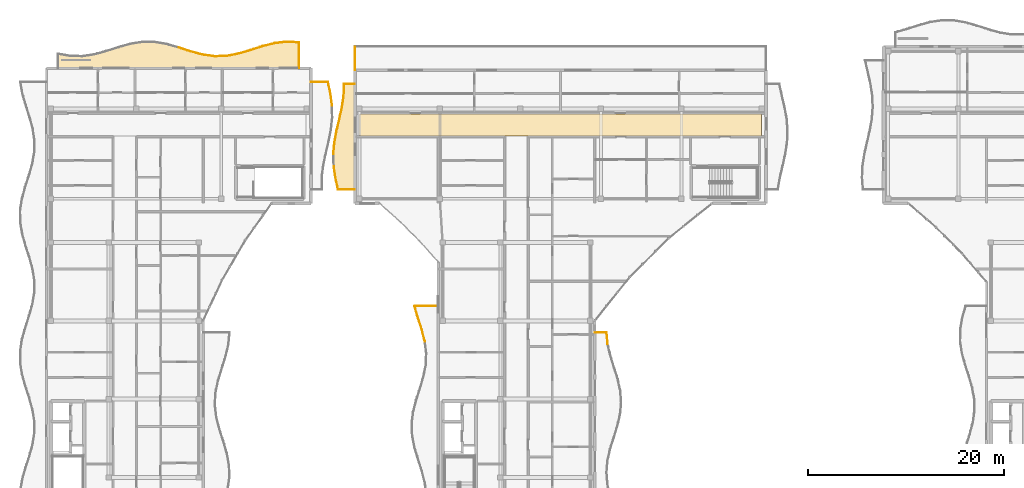
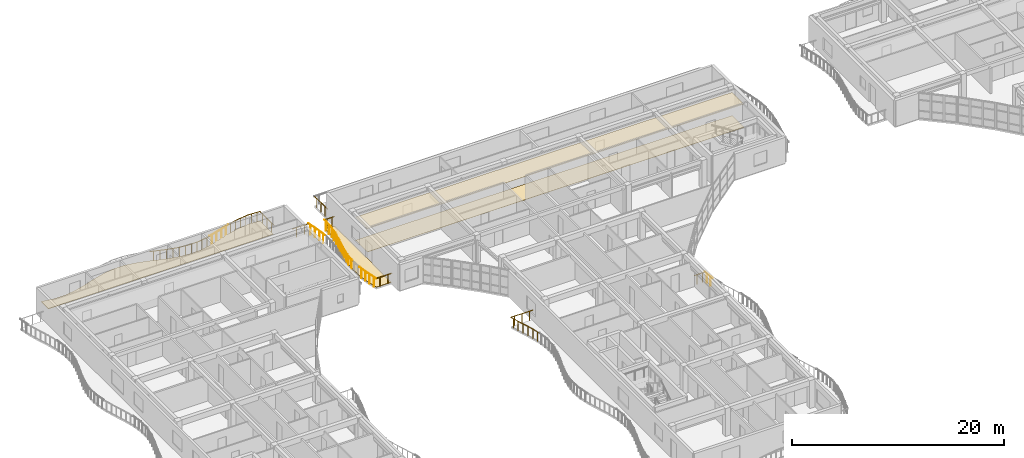
# One storey, part 52 of 68: 31 railings, 4 coverings.
"""IFC4 building model written with IfcOpenShell, lengths in metres."""

from ifc_helpers import new_model, si_unit, direction, frame, origin, origin_2d, place, context, subcontext, project, spatial, polyline, circle, outline, extrude, material, layer, layer_set, type_object, element, save


model = new_model("IFC4")

# Units and contexts
model_context = context("Model", 3, precision=1e-05, world=origin(), true_north=direction((0.0, 1.0)))
body_context = subcontext(model_context, "Body", "Model", "MODEL_VIEW")
ifc_project = project(units=[si_unit("LENGTHUNIT", "METRE"), si_unit("AREAUNIT", "SQUARE_METRE"), si_unit("VOLUMEUNIT", "CUBIC_METRE"), si_unit("PLANEANGLEUNIT", "RADIAN"), si_unit("MASSUNIT", "GRAM", prefix="KILO")], contexts=[model_context])

# Site, building, storey
site_placement = place(None, origin())
site = spatial("IfcSite", under=ifc_project, at=site_placement, CompositionType="ELEMENT")
building_placement = place(site_placement, origin())
building = spatial("IfcBuilding", under=site, at=building_placement, Name="Keldmere Railside Commons", CompositionType="ELEMENT")
storey_placement = place(building_placement, frame((0.0, 0.0, 23.360107421875)))
storey = spatial("IfcBuildingStorey", under=building, at=storey_placement, Name="L07", CompositionType="ELEMENT", Elevation=23.360107421875)

# Railings
ifc_material_1 = material(Name="Steel F-24 (S235)", Category="steel")
railing_type = type_object("IfcRailingType", Name="Balcony & Terrace Steel Balustrade 1100", PredefinedType="BALUSTRADE", material=ifc_material_1)
railing_1_placement = place(storey_placement, frame((21.5, 115.90478515625, 0.0)))
element("IfcRailing", 1, at=railing_1_placement, inside=storey, type_object=railing_type, Name="GR-1 GRD-L07-0705", PredefinedType="BALUSTRADE", context=body_context, shape_type="SweptSolid", body=[
    extrude(circle(Radius=0.02392578125, at=origin_2d()), frame((0.0, 0.0, 1.076171875), z_axis=(0.951662317423, -0.307146273944, 0.0), x_axis=(0.307146273944, 0.951662317423, 0.0)), (0.0, 0.0, 1.0), 1.29248046875),
    extrude(circle(Radius=0.02099609375, at=origin_2d()), frame((0.3076171875, -0.09912109375, 0.0)), (0.0, 0.0, 1.0), 1.048095703125),
    extrude(circle(Radius=0.02099609375, at=origin_2d()), frame((0.92236328125, -0.2978515625, 0.0)), (0.0, 0.0, 1.0), 1.048095703125),
])
railing_2_placement = place(storey_placement, frame((22.72998046875, 115.5078125, 0.0)))
element("IfcRailing", 2, at=railing_2_placement, inside=storey, type_object=railing_type, Name="GR-1 GRD-L07-0706", PredefinedType="BALUSTRADE", context=body_context, shape_type="SweptSolid", body=[
    extrude(circle(Radius=0.02392578125, at=origin_2d()), frame((0.0, 0.0, 1.076171875), z_axis=(0.966066051038, -0.258295151002, 0.0), x_axis=(0.258295151002, 0.966066051038, 0.0)), (0.0, 0.0, 1.0), 1.273193359375),
    extrude(circle(Radius=0.02099609375, at=origin_2d()), frame((0.3076171875, -0.082275390625, 0.0)), (0.0, 0.0, 1.0), 1.048095703125),
    extrude(circle(Radius=0.02099609375, at=origin_2d()), frame((0.92236328125, -0.24658203125, 0.0)), (0.0, 0.0, 1.0), 1.048095703125),
])
railing_3_placement = place(storey_placement, frame((23.9599609375, 115.178955078125, 0.0)))
element("IfcRailing", 3, at=railing_3_placement, inside=storey, type_object=railing_type, Name="GR-1 GRD-L07-0707", PredefinedType="BALUSTRADE", context=body_context, shape_type="SweptSolid", body=[
    extrude(circle(Radius=0.02392578125, at=origin_2d()), frame((0.0, 0.0, 1.076171875), z_axis=(0.990751017393, -0.135692378325, 0.0), x_axis=(0.135692378325, 0.990751017393, 0.0)), (0.0, 0.0, 1.0), 1.241455078125),
    extrude(circle(Radius=0.02099609375, at=origin_2d()), frame((0.3076171875, -0.0419921875, 0.0)), (0.0, 0.0, 1.0), 1.048095703125),
    extrude(circle(Radius=0.02099609375, at=origin_2d()), frame((0.92236328125, -0.12646484375, 0.0)), (0.0, 0.0, 1.0), 1.048095703125),
])
railing_4_placement = place(storey_placement, frame((25.18994140625, 115.010498046875, 0.0)))
element("IfcRailing", 4, at=railing_4_placement, inside=storey, type_object=railing_type, Name="GR-1 GRD-L07-0708", PredefinedType="BALUSTRADE", context=body_context, shape_type="SweptSolid", body=[
    extrude(circle(Radius=0.02392578125, at=origin_2d()), frame((0.0, 0.0, 1.076171875), z_axis=(0.999477016377, 0.032337188104, 0.0), x_axis=(-0.032337188104, 0.999477016377, 0.0)), (0.0, 0.0, 1.0), 1.230712890625),
    extrude(circle(Radius=0.02099609375, at=origin_2d()), frame((0.3076171875, 0.010009765625, 0.0)), (0.0, 0.0, 1.0), 1.048095703125),
    extrude(circle(Radius=0.02099609375, at=origin_2d()), frame((0.92236328125, 0.02978515625, 0.0)), (0.0, 0.0, 1.0), 1.048095703125),
])
railing_5_placement = place(storey_placement, frame((26.419921875, 115.05029296875, 0.0)))
element("IfcRailing", 5, at=railing_5_placement, inside=storey, type_object=railing_type, Name="GR-1 GRD-L07-0709", PredefinedType="BALUSTRADE", context=body_context, shape_type="SweptSolid", body=[
    extrude(circle(Radius=0.02392578125, at=origin_2d()), frame((0.0, 0.0, 1.076171875), z_axis=(0.982037021627, 0.188688336033, 0.0), x_axis=(-0.188688336033, 0.982037021627, 0.0)), (0.0, 0.0, 1.0), 1.25244140625),
    extrude(circle(Radius=0.02099609375, at=origin_2d()), frame((0.3076171875, 0.05908203125, 0.0)), (0.0, 0.0, 1.0), 1.048095703125),
    extrude(circle(Radius=0.02099609375, at=origin_2d()), frame((0.92236328125, 0.17724609375, 0.0)), (0.0, 0.0, 1.0), 1.048095703125),
])
railing_6_placement = place(storey_placement, frame((27.64990234375, 115.28662109375, 0.0)))
element("IfcRailing", 6, at=railing_6_placement, inside=storey, type_object=railing_type, Name="GR-1 GRD-L07-0710", PredefinedType="BALUSTRADE", context=body_context, shape_type="SweptSolid", body=[
    extrude(circle(Radius=0.02392578125, at=origin_2d()), frame((0.0, 0.0, 1.076171875), z_axis=(0.958317003481, 0.285707054234, 0.0), x_axis=(-0.285707054234, 0.958317003481, 0.0)), (0.0, 0.0, 1.0), 1.283447265625),
    extrude(circle(Radius=0.02099609375, at=origin_2d()), frame((0.3076171875, 0.091796875, 0.0)), (0.0, 0.0, 1.0), 1.048095703125),
    extrude(circle(Radius=0.02099609375, at=origin_2d()), frame((0.92236328125, 0.27490234375, 0.0)), (0.0, 0.0, 1.0), 1.048095703125),
])
railing_7_placement = place(storey_placement, frame((28.8798828125, 115.6533203125, 0.0)))
element("IfcRailing", 7, at=railing_7_placement, inside=storey, type_object=railing_type, Name="GR-1 GRD-L07-0711", PredefinedType="BALUSTRADE", context=body_context, shape_type="SweptSolid", body=[
    extrude(circle(Radius=0.02392578125, at=origin_2d()), frame((0.0, 0.0, 1.076171875), z_axis=(0.952395613987, 0.304864879016, 0.0), x_axis=(-0.304864879016, 0.952395613987, 0.0)), (0.0, 0.0, 1.0), 1.291748046875),
    extrude(circle(Radius=0.02099609375, at=origin_2d()), frame((0.3076171875, 0.098388671875, 0.0)), (0.0, 0.0, 1.0), 1.048095703125),
    extrude(circle(Radius=0.02099609375, at=origin_2d()), frame((0.922607421875, 0.29541015625, 0.0)), (0.0, 0.0, 1.0), 1.048095703125),
])
railing_8_placement = place(storey_placement, frame((30.110107421875, 116.047119140625, 0.0)))
element("IfcRailing", 8, at=railing_8_placement, inside=storey, type_object=railing_type, Name="GR-1 GRD-L07-0712", PredefinedType="BALUSTRADE", context=body_context, shape_type="SweptSolid", body=[
    extrude(circle(Radius=0.02392578125, at=origin_2d()), frame((0.0, 0.0, 1.076171875), z_axis=(0.969619486352, 0.244618175298, 0.0), x_axis=(-0.244618175298, 0.969619486352, 0.0)), (0.0, 0.0, 1.0), 1.2685546875),
    extrude(circle(Radius=0.02099609375, at=origin_2d()), frame((0.3076171875, 0.07763671875, 0.0)), (0.0, 0.0, 1.0), 1.048095703125),
    extrude(circle(Radius=0.02099609375, at=origin_2d()), frame((0.92236328125, 0.232666015625, 0.0)), (0.0, 0.0, 1.0), 1.048095703125),
])
railing_9_placement = place(storey_placement, frame((31.340087890625, 116.357421875, 0.0)))
element("IfcRailing", 9, at=railing_9_placement, inside=storey, type_object=railing_type, Name="GR-1 GRD-L07-0713", PredefinedType="BALUSTRADE", context=body_context, shape_type="SweptSolid", body=[
    extrude(circle(Radius=0.02392578125, at=origin_2d()), frame((0.0, 0.0, 1.076171875), z_axis=(0.99361631309, 0.112812332491, 0.0), x_axis=(-0.112812332491, 0.99361631309, 0.0)), (0.0, 0.0, 1.0), 1.23779296875),
    extrude(circle(Radius=0.02099609375, at=origin_2d()), frame((0.3076171875, 0.034912109375, 0.0)), (0.0, 0.0, 1.0), 1.048095703125),
    extrude(circle(Radius=0.02099609375, at=origin_2d()), frame((0.92236328125, 0.104736328125, 0.0)), (0.0, 0.0, 1.0), 1.048095703125),
])
railing_10_placement = place(storey_placement, frame((32.570068359375, 116.4970703125, 0.0)))
element("IfcRailing", 10, at=railing_10_placement, inside=storey, type_object=railing_type, Name="GR-1 GRD-L07-0714", PredefinedType="BALUSTRADE", context=body_context, shape_type="SweptSolid", body=[
    extrude(circle(Radius=0.02392578125, at=origin_2d()), frame((0.0, 0.0, 1.076171875), z_axis=(0.998358733334, -0.057269883671, 0.0), x_axis=(0.057269883671, 0.998358733334, 0.0)), (0.0, 0.0, 1.0), 1.23193359375),
    extrude(circle(Radius=0.02099609375, at=origin_2d()), frame((0.3076171875, -0.017578125, 0.0)), (0.0, 0.0, 1.0), 1.048095703125),
    extrude(circle(Radius=0.02099609375, at=origin_2d()), frame((0.92236328125, -0.052978515625, 0.0)), (0.0, 0.0, 1.0), 1.048095703125),
])
railing_11_placement = place(storey_placement, frame((33.800048828125, 116.426513671875, 0.0)))
element("IfcRailing", 11, at=railing_11_placement, inside=storey, type_object=railing_type, Name="GR-1 GRD-L07-0715", PredefinedType="BALUSTRADE", context=body_context, shape_type="SweptSolid", body=[
    extrude(circle(Radius=0.02392578125, at=origin_2d()), frame((0.0, 0.0, 1.076171875), z_axis=(0.0, -1.0, 0.0), x_axis=(1.0, 0.0, 0.0)), (0.0, 0.0, 1.0), 2.62646484375),
    extrude(circle(Radius=0.02099609375, at=origin_2d()), frame((0.0, -0.437744140625, 0.0)), (0.0, 0.0, 1.0), 1.048095703125),
    extrude(circle(Radius=0.02099609375, at=origin_2d()), frame((0.0, -1.313232421875, 0.0)), (0.0, 0.0, 1.0), 1.048095703125),
    extrude(circle(Radius=0.02099609375, at=origin_2d()), frame((0.0, -2.188720703125, 0.0)), (0.0, 0.0, 1.0), 1.048095703125),
])
railing_12_placement = place(storey_placement, frame((37.17041015625, 109.95556640625, 0.0)))
element("IfcRailing", 12, at=railing_12_placement, inside=storey, type_object=railing_type, Name="GR-1 GRD-L07-0784", PredefinedType="BALUSTRADE", context=body_context, shape_type="SweptSolid", body=[
    extrude(circle(Radius=0.02392578125, at=origin_2d()), frame((0.0, 0.0, 1.076171875), z_axis=(-0.131878364677, 0.991265906268, 0.0), x_axis=(-0.991265906268, -0.131878364677, 0.0)), (0.0, 0.0, 1.0), 1.23291015625),
    extrude(circle(Radius=0.02099609375, at=origin_2d()), frame((-0.04052734375, 0.3056640625, 0.0)), (0.0, 0.0, 1.0), 1.048095703125),
    extrude(circle(Radius=0.02099609375, at=origin_2d()), frame((-0.1220703125, 0.91650390625, 0.0)), (0.0, 0.0, 1.0), 1.048095703125),
])
railing_13_placement = place(storey_placement, frame((37.0078125, 111.177734375, 0.0)))
element("IfcRailing", 13, at=railing_13_placement, inside=storey, type_object=railing_type, Name="GR-1 GRD-L07-0785", PredefinedType="BALUSTRADE", context=body_context, shape_type="SweptSolid", body=[
    extrude(circle(Radius=0.02392578125, at=origin_2d()), frame((0.0, 0.0, 1.076171875), z_axis=(-0.209582445166, 0.977790979033, 0.0), x_axis=(-0.977790979033, -0.209582445166, 0.0)), (0.0, 0.0, 1.0), 1.25),
    extrude(circle(Radius=0.02099609375, at=origin_2d()), frame((-0.0654296875, 0.3056640625, 0.0)), (0.0, 0.0, 1.0), 1.048095703125),
    extrude(circle(Radius=0.02099609375, at=origin_2d()), frame((-0.196533203125, 0.91650390625, 0.0)), (0.0, 0.0, 1.0), 1.048095703125),
])
railing_14_placement = place(storey_placement, frame((36.745849609375, 112.39990234375, 0.0)))
element("IfcRailing", 14, at=railing_14_placement, inside=storey, type_object=railing_type, Name="GR-1 GRD-L07-0786", PredefinedType="BALUSTRADE", context=body_context, shape_type="SweptSolid", body=[
    extrude(circle(Radius=0.02392578125, at=origin_2d()), frame((0.0, 0.0, 1.076171875), z_axis=(-1.0, 0.0, 0.0), x_axis=(0.0, -1.0, 0.0)), (0.0, 0.0, 1.0), 1.745849609375),
    extrude(circle(Radius=0.02099609375, at=origin_2d()), frame((-0.4365234375, 0.0, 0.0)), (0.0, 0.0, 1.0), 1.048095703125),
    extrude(circle(Radius=0.02099609375, at=origin_2d()), frame((-1.309326171875, 0.0, 0.0)), (0.0, 0.0, 1.0), 1.048095703125),
])
railing_15_placement = place(storey_placement, frame((65.317138671875, 85.609130859375, 0.0)))
element("IfcRailing", 15, at=railing_15_placement, inside=storey, type_object=railing_type, Name="GR-1 GRD-L07-1571", PredefinedType="BALUSTRADE", context=body_context, shape_type="SweptSolid", body=[
    extrude(circle(Radius=0.02392578125, at=origin_2d()), frame((0.0, 0.0, 1.076171875), z_axis=(-0.097321784689, 0.995252967956, 0.0), x_axis=(-0.995252967956, -0.097321784689, 0.0)), (0.0, 0.0, 1.0), 1.196533203125),
    extrude(circle(Radius=0.02099609375, at=origin_2d()), frame((-0.029052734375, 0.2978515625, 0.0)), (0.0, 0.0, 1.0), 1.048095703125),
    extrude(circle(Radius=0.02099609375, at=origin_2d()), frame((-0.08740234375, 0.89306640625, 0.0)), (0.0, 0.0, 1.0), 1.048095703125),
])
railing_16_placement = place(storey_placement, frame((65.20068359375, 86.800048828125, 0.0)))
element("IfcRailing", 16, at=railing_16_placement, inside=storey, type_object=railing_type, Name="GR-1 GRD-L07-1572", PredefinedType="BALUSTRADE", context=body_context, shape_type="SweptSolid", body=[
    extrude(circle(Radius=0.02392578125, at=origin_2d()), frame((0.0, 0.0, 1.076171875), z_axis=(-1.0, 0.0, 0.0), x_axis=(0.0, -1.0, 0.0)), (0.0, 0.0, 1.0), 1.20068359375),
    extrude(circle(Radius=0.02099609375, at=origin_2d()), frame((-0.30029296875, 0.0, 0.0)), (0.0, 0.0, 1.0), 1.048095703125),
    extrude(circle(Radius=0.02099609375, at=origin_2d()), frame((-0.900390625, 0.0, 0.0)), (0.0, 0.0, 1.0), 1.048095703125),
])
railing_17_placement = place(storey_placement, frame((46.644775390625, 85.887451171875, 0.0)))
element("IfcRailing", 17, at=railing_17_placement, inside=storey, type_object=railing_type, Name="GR-1 GRD-L07-1595", PredefinedType="BALUSTRADE", context=body_context, shape_type="SweptSolid", body=[
    extrude(circle(Radius=0.02392578125, at=origin_2d()), frame((0.0, 0.0, 1.076171875), z_axis=(-0.248767411607, 0.968563252928, 0.0), x_axis=(-0.968563252928, -0.248767411607, 0.0)), (0.0, 0.0, 1.0), 1.243408203125),
    extrude(circle(Radius=0.02099609375, at=origin_2d()), frame((-0.077392578125, 0.301025390625, 0.0)), (0.0, 0.0, 1.0), 1.048095703125),
    extrude(circle(Radius=0.02099609375, at=origin_2d()), frame((-0.23193359375, 0.9033203125, 0.0)), (0.0, 0.0, 1.0), 1.048095703125),
])
railing_18_placement = place(storey_placement, frame((46.33544921875, 87.091796875, 0.0)))
element("IfcRailing", 18, at=railing_18_placement, inside=storey, type_object=railing_type, Name="GR-1 GRD-L07-1596", PredefinedType="BALUSTRADE", context=body_context, shape_type="SweptSolid", body=[
    extrude(circle(Radius=0.02392578125, at=origin_2d()), frame((0.0, 0.0, 1.076171875), z_axis=(-0.305609201836, 0.952157033137, 0.0), x_axis=(-0.952157033137, -0.305609201836, 0.0)), (0.0, 0.0, 1.0), 1.2646484375),
    extrude(circle(Radius=0.02099609375, at=origin_2d()), frame((-0.0966796875, 0.301025390625, 0.0)), (0.0, 0.0, 1.0), 1.048095703125),
    extrude(circle(Radius=0.02099609375, at=origin_2d()), frame((-0.289794921875, 0.903076171875, 0.0)), (0.0, 0.0, 1.0), 1.048095703125),
])
railing_19_placement = place(storey_placement, frame((45.948974609375, 88.2958984375, 0.0)))
element("IfcRailing", 19, at=railing_19_placement, inside=storey, type_object=railing_type, Name="GR-1 GRD-L07-1597", PredefinedType="BALUSTRADE", context=body_context, shape_type="SweptSolid", body=[
    extrude(circle(Radius=0.02392578125, at=origin_2d()), frame((0.0, 0.0, 1.076171875), z_axis=(-0.285814512578, 0.958284959915, 0.0), x_axis=(-0.958284959915, -0.285814512578, 0.0)), (0.0, 0.0, 1.0), 1.256591796875),
    extrude(circle(Radius=0.02099609375, at=origin_2d()), frame((-0.08984375, 0.301025390625, 0.0)), (0.0, 0.0, 1.0), 1.048095703125),
    extrude(circle(Radius=0.02099609375, at=origin_2d()), frame((-0.269287109375, 0.903076171875, 0.0)), (0.0, 0.0, 1.0), 1.048095703125),
])
railing_20_placement = place(storey_placement, frame((45.58984375, 89.5, 0.0)))
element("IfcRailing", 20, at=railing_20_placement, inside=storey, type_object=railing_type, Name="GR-1 GRD-L07-1598", PredefinedType="BALUSTRADE", context=body_context, shape_type="SweptSolid", body=[
    extrude(circle(Radius=0.02392578125, at=origin_2d()), frame((0.0, 0.0, 1.076171875), z_axis=(1.0, 0.0, 0.0), x_axis=(0.0, 1.0, 0.0)), (0.0, 0.0, 1.0), 2.41015625),
    extrude(circle(Radius=0.02099609375, at=origin_2d()), frame((0.401611328125, 0.0, 0.0)), (0.0, 0.0, 1.0), 1.048095703125),
    extrude(circle(Radius=0.02099609375, at=origin_2d()), frame((1.205078125, 0.0, 0.0)), (0.0, 0.0, 1.0), 1.048095703125),
    extrude(circle(Radius=0.02099609375, at=origin_2d()), frame((2.008544921875, 0.0, 0.0)), (0.0, 0.0, 1.0), 1.048095703125),
])
railing_21_placement = place(storey_placement, frame((39.5, 101.39990234375, 0.0)))
element("IfcRailing", 21, at=railing_21_placement, inside=storey, type_object=railing_type, Name="GR-1 GRD-L07-1610", PredefinedType="BALUSTRADE", context=body_context, shape_type="SweptSolid", body=[
    extrude(circle(Radius=0.02392578125, at=origin_2d()), frame((0.0, 0.0, 1.076171875), z_axis=(-1.0, 0.0, 0.0), x_axis=(0.0, -1.0, 0.0)), (0.0, 0.0, 1.0), 1.714111328125),
    extrude(circle(Radius=0.02099609375, at=origin_2d()), frame((-0.428466796875, 0.0, 0.0)), (0.0, 0.0, 1.0), 1.048095703125),
    extrude(circle(Radius=0.02099609375, at=origin_2d()), frame((-1.28564453125, 0.0, 0.0)), (0.0, 0.0, 1.0), 1.048095703125),
])
railing_22_placement = place(storey_placement, frame((37.785888671875, 101.39990234375, 0.0)))
element("IfcRailing", 22, at=railing_22_placement, inside=storey, type_object=railing_type, Name="GR-1 GRD-L07-1611", PredefinedType="BALUSTRADE", context=body_context, shape_type="SweptSolid", body=[
    extrude(circle(Radius=0.02392578125, at=origin_2d()), frame((0.0, 0.0, 1.076171875), z_axis=(-0.215142208594, 0.976582730792, 0.0), x_axis=(-0.976582730792, -0.215142208594, 0.0)), (0.0, 0.0, 1.0), 1.22900390625),
    extrude(circle(Radius=0.02099609375, at=origin_2d()), frame((-0.066162109375, 0.300048828125, 0.0)), (0.0, 0.0, 1.0), 1.048095703125),
    extrude(circle(Radius=0.02099609375, at=origin_2d()), frame((-0.1982421875, 0.900146484375, 0.0)), (0.0, 0.0, 1.0), 1.048095703125),
])
railing_23_placement = place(storey_placement, frame((37.521484375, 102.60009765625, 0.0)))
element("IfcRailing", 23, at=railing_23_placement, inside=storey, type_object=railing_type, Name="GR-1 GRD-L07-1612", PredefinedType="BALUSTRADE", context=body_context, shape_type="SweptSolid", body=[
    extrude(circle(Radius=0.02392578125, at=origin_2d()), frame((0.0, 0.0, 1.076171875), z_axis=(-0.145534555691, 0.989353169045, 0.0), x_axis=(-0.989353169045, -0.145534555691, 0.0)), (0.0, 0.0, 1.0), 1.212890625),
    extrude(circle(Radius=0.02099609375, at=origin_2d()), frame((-0.044189453125, 0.300048828125, 0.0)), (0.0, 0.0, 1.0), 1.048095703125),
    extrude(circle(Radius=0.02099609375, at=origin_2d()), frame((-0.13232421875, 0.89990234375, 0.0)), (0.0, 0.0, 1.0), 1.048095703125),
])
railing_24_placement = place(storey_placement, frame((37.3037109375, 105.0, 0.0)))
element("IfcRailing", 24, at=railing_24_placement, inside=storey, type_object=railing_type, Name="GR-1 GRD-L07-1614", PredefinedType="BALUSTRADE", context=body_context, shape_type="SweptSolid", body=[
    extrude(circle(Radius=0.02392578125, at=origin_2d()), frame((0.0, 0.0, 1.076171875), z_axis=(0.087355518436, 0.996177199799, 0.0), x_axis=(-0.996177199799, 0.087355518436, 0.0)), (0.0, 0.0, 1.0), 1.20458984375),
    extrude(circle(Radius=0.02099609375, at=origin_2d()), frame((0.0263671875, 0.300048828125, 0.0)), (0.0, 0.0, 1.0), 1.048095703125),
    extrude(circle(Radius=0.02099609375, at=origin_2d()), frame((0.078857421875, 0.89990234375, 0.0)), (0.0, 0.0, 1.0), 1.048095703125),
])
railing_25_placement = place(storey_placement, frame((37.408935546875, 106.199951171875, 0.0)))
element("IfcRailing", 25, at=railing_25_placement, inside=storey, type_object=railing_type, Name="GR-1 GRD-L07-1615", PredefinedType="BALUSTRADE", context=body_context, shape_type="SweptSolid", body=[
    extrude(circle(Radius=0.02392578125, at=origin_2d()), frame((0.0, 0.0, 1.076171875), z_axis=(0.183020316383, 0.983109131171, 0.0), x_axis=(-0.983109131171, 0.183020316383, 0.0)), (0.0, 0.0, 1.0), 1.220458984375),
    extrude(circle(Radius=0.02099609375, at=origin_2d()), frame((0.055908203125, 0.300048828125, 0.0)), (0.0, 0.0, 1.0), 1.048095703125),
    extrude(circle(Radius=0.02099609375, at=origin_2d()), frame((0.16748046875, 0.89990234375, 0.0)), (0.0, 0.0, 1.0), 1.048095703125),
])
railing_26_placement = place(storey_placement, frame((37.63232421875, 107.39990234375, 0.0)))
element("IfcRailing", 26, at=railing_26_placement, inside=storey, type_object=railing_type, Name="GR-1 GRD-L07-1616", PredefinedType="BALUSTRADE", context=body_context, shape_type="SweptSolid", body=[
    extrude(circle(Radius=0.02392578125, at=origin_2d()), frame((0.0, 0.0, 1.076171875), z_axis=(0.228531555667, 0.973536505769, 0.0), x_axis=(-0.973536505769, 0.228531555667, 0.0)), (0.0, 0.0, 1.0), 1.23291015625),
    extrude(circle(Radius=0.02099609375, at=origin_2d()), frame((0.0703125, 0.300048828125, 0.0)), (0.0, 0.0, 1.0), 1.048095703125),
    extrude(circle(Radius=0.02099609375, at=origin_2d()), frame((0.21142578125, 0.900146484375, 0.0)), (0.0, 0.0, 1.0), 1.048095703125),
])
railing_27_placement = place(storey_placement, frame((37.9140625, 108.60009765625, 0.0)))
element("IfcRailing", 27, at=railing_27_placement, inside=storey, type_object=railing_type, Name="GR-1 GRD-L07-1617", PredefinedType="BALUSTRADE", context=body_context, shape_type="SweptSolid", body=[
    extrude(circle(Radius=0.02392578125, at=origin_2d()), frame((0.0, 0.0, 1.076171875), z_axis=(0.215373434555, 0.976531762765, 0.0), x_axis=(-0.976531762765, 0.215373434555, 0.0)), (0.0, 0.0, 1.0), 1.228759765625),
    extrude(circle(Radius=0.02099609375, at=origin_2d()), frame((0.066162109375, 0.300048828125, 0.0)), (0.0, 0.0, 1.0), 1.048095703125),
    extrude(circle(Radius=0.02099609375, at=origin_2d()), frame((0.198486328125, 0.89990234375, 0.0)), (0.0, 0.0, 1.0), 1.048095703125),
])
railing_28_placement = place(storey_placement, frame((38.1787109375, 109.800048828125, 0.0)))
element("IfcRailing", 28, at=railing_28_placement, inside=storey, type_object=railing_type, Name="GR-1 GRD-L07-1618", PredefinedType="BALUSTRADE", context=body_context, shape_type="SweptSolid", body=[
    extrude(circle(Radius=0.02392578125, at=origin_2d()), frame((0.0, 0.0, 1.076171875), z_axis=(0.145337517867, 0.989382133405, 0.0), x_axis=(-0.989382133405, 0.145337517867, 0.0)), (0.0, 0.0, 1.0), 1.212890625),
    extrude(circle(Radius=0.02099609375, at=origin_2d()), frame((0.0439453125, 0.300048828125, 0.0)), (0.0, 0.0, 1.0), 1.048095703125),
    extrude(circle(Radius=0.02099609375, at=origin_2d()), frame((0.13232421875, 0.89990234375, 0.0)), (0.0, 0.0, 1.0), 1.048095703125),
])
railing_29_placement = place(storey_placement, frame((38.35498046875, 111.0, 0.0)))
element("IfcRailing", 29, at=railing_29_placement, inside=storey, type_object=railing_type, Name="GR-1 GRD-L07-1619", PredefinedType="BALUSTRADE", context=body_context, shape_type="SweptSolid", body=[
    extrude(circle(Radius=0.02392578125, at=origin_2d()), frame((0.0, 0.0, 1.076171875), z_axis=(0.03436422878, 0.999409375472, 0.0), x_axis=(-0.999409375472, 0.03436422878, 0.0)), (0.0, 0.0, 1.0), 1.20068359375),
    extrude(circle(Radius=0.02099609375, at=origin_2d()), frame((0.01025390625, 0.300048828125, 0.0)), (0.0, 0.0, 1.0), 1.048095703125),
    extrude(circle(Radius=0.02099609375, at=origin_2d()), frame((0.031005859375, 0.89990234375, 0.0)), (0.0, 0.0, 1.0), 1.048095703125),
])
railing_30_placement = place(storey_placement, frame((38.396240234375, 112.199951171875, 0.0)))
element("IfcRailing", 30, at=railing_30_placement, inside=storey, type_object=railing_type, Name="GR-1 GRD-L07-1620", PredefinedType="BALUSTRADE", context=body_context, shape_type="SweptSolid", body=[
    extrude(circle(Radius=0.02392578125, at=origin_2d()), frame((0.0, 0.0, 1.076171875), z_axis=(1.0, 0.0, 0.0), x_axis=(0.0, 1.0, 0.0)), (0.0, 0.0, 1.0), 1.103759765625),
    extrude(circle(Radius=0.02099609375, at=origin_2d()), frame((0.27587890625, 0.0, 0.0)), (0.0, 0.0, 1.0), 1.048095703125),
    extrude(circle(Radius=0.02099609375, at=origin_2d()), frame((0.827880859375, 0.0, 0.0)), (0.0, 0.0, 1.0), 1.048095703125),
])
railing_31_placement = place(storey_placement, frame((39.5, 113.60009765625, 0.0)))
element("IfcRailing", 31, at=railing_31_placement, inside=storey, type_object=railing_type, Name="GR-1 GRD-L07-1634", PredefinedType="BALUSTRADE", context=body_context, shape_type="SweptSolid", body=[
    extrude(circle(Radius=0.02392578125, at=origin_2d()), frame((0.0, 0.0, 1.076171875), z_axis=(0.0, 1.0, 0.0), x_axis=(-1.0, 0.0, 0.0)), (0.0, 0.0, 1.0), 2.39990234375),
    extrude(circle(Radius=0.02099609375, at=origin_2d()), frame((0.0, 0.39990234375, 0.0)), (0.0, 0.0, 1.0), 1.048095703125),
    extrude(circle(Radius=0.02099609375, at=origin_2d()), frame((0.0, 1.199951171875, 0.0)), (0.0, 0.0, 1.0), 1.048095703125),
    extrude(circle(Radius=0.02099609375, at=origin_2d()), frame((0.0, 2.0, 0.0)), (0.0, 0.0, 1.0), 1.048095703125),
])

# Coverings
ifc_material_2 = material(Name="Polished Terrazzo Tile Flooring", Category="concrete")
ifc_layer_1 = layer(ifc_material_2, 0.030029296875, Name="Polished Terrazzo Floor Finish 30")
ifc_layer_set_1 = layer_set([ifc_layer_1], Name="Polished Terrazzo Tile Flooring")
covering_type_1 = type_object("IfcCoveringType", Name="Polished Terrazzo Floor Finish 30", PredefinedType="FLOORING", material=ifc_layer_set_1)
covering_1_placement = place(storey_placement, origin())
element("IfcCovering", 32, at=covering_1_placement, inside=storey, type_object=covering_type_1, Name="FLR-1 Corridor Terrazzo C-L07", PredefinedType="FLOORING", context=body_context, shape_type="SweptSolid", body=[
    extrude(outline(polyline([(39.97998046875, 106.8798828125), (81.02001953125, 106.8798828125), (81.02001953125, 109.1201171875), (39.97998046875, 109.1201171875), (39.97998046875, 106.8798828125)])), origin(), (0.0, 0.0, 1.0), 0.02978515625),
])
ifc_material_3 = material(Name="Acoustic Mineral-Fibre Gypsum Ceiling", Category="gypsum")
ifc_layer_2 = layer(ifc_material_3, 0.02490234375, Name="Suspended Acoustic Ceiling 25")
ifc_layer_set_2 = layer_set([ifc_layer_2], Name="Acoustic Mineral-Fibre Gypsum Ceiling")
covering_type_2 = type_object("IfcCoveringType", Name="Suspended Acoustic Ceiling 25", PredefinedType="CEILING", material=ifc_layer_set_2)
covering_2_placement = place(storey_placement, frame((0.0, 0.0, 2.6748046875)))
element("IfcCovering", 33, at=covering_2_placement, inside=storey, type_object=covering_type_2, Name="CLG-1 Corridor Ceiling C-L07", PredefinedType="CEILING", context=body_context, shape_type="SweptSolid", body=[
    extrude(outline(polyline([(39.97998046875, 106.8798828125), (81.02001953125, 106.8798828125), (81.02001953125, 109.1201171875), (39.97998046875, 109.1201171875), (39.97998046875, 106.8798828125)])), origin(), (0.0, 0.0, 1.0), 0.025146484375),
])
ifc_material_4 = material(Name="White Precast Concrete C35/45", Category="concrete")
ifc_layer_3 = layer(ifc_material_4, 0.044921875, Name="White Architectural Balcony Ribbon Cladding 45")
ifc_layer_set_3 = layer_set([ifc_layer_3], Name="White Precast Concrete C35/45")
covering_type_3 = type_object("IfcCoveringType", Name="White Architectural Balcony Ribbon Cladding 45", PredefinedType="FLOORING", material=ifc_layer_set_3)
covering_3_placement = place(storey_placement, origin())
element("IfcCovering", 34, at=covering_3_placement, inside=storey, type_object=covering_type_3, Name="CLG-WB D L07 N White Balcony Ribbon", PredefinedType="FLOORING", context=body_context, shape_type="SweptSolid", body=[
    extrude(outline(polyline([(33.760009765625, 113.840087890625), (33.760009765625, 116.388671875), (32.571044921875, 116.456787109375), (31.34716796875, 116.318115234375), (30.12109375, 116.008544921875), (28.89208984375, 115.615234375), (28.891357421875, 115.614990234375), (27.661376953125, 115.248291015625), (27.657470703125, 115.247314453125), (26.427490234375, 115.010986328125), (26.42431640625, 115.010498046875), (26.42138671875, 115.01025390625), (25.19140625, 114.970703125), (25.18798828125, 114.970703125), (25.1845703125, 114.970947265625), (23.95458984375, 115.139404296875), (23.94970703125, 115.140380859375), (22.7197265625, 115.46923828125), (22.7177734375, 115.4697265625), (21.48828125, 115.866455078125), (20.260986328125, 116.218994140625), (19.03662109375, 116.4287109375), (17.81298828125, 116.437255859375), (16.588623046875, 116.2421875), (15.361572265625, 115.8974609375), (14.13232421875, 115.5), (14.130615234375, 115.49951171875), (12.900634765625, 115.161376953125), (12.89599609375, 115.160400390625), (11.666015625, 114.97705078125), (11.66259765625, 114.976806640625), (11.6591796875, 114.9765625), (10.42919921875, 114.99951171875), (10.426025390625, 114.99951171875), (10.4228515625, 115.0), (9.239990234375, 115.214111328125), (9.239990234375, 113.840087890625), (33.760009765625, 113.840087890625)])), origin(), (0.0, 0.0, 1.0), 0.044921875),
])
covering_4_placement = place(storey_placement, origin())
element("IfcCovering", 35, at=covering_4_placement, inside=storey, type_object=covering_type_3, Name="CLG-WB C L07 WW White Balcony Ribbon", PredefinedType="FLOORING", context=body_context, shape_type="SweptSolid", body=[
    extrude(outline(polyline([(39.4599609375, 112.159912109375), (38.43505859375, 112.159912109375), (38.39501953125, 110.99853515625), (38.394775390625, 110.994140625), (38.21826171875, 109.794189453125), (38.2177734375, 109.79150390625), (37.953125, 108.59130859375), (37.952880859375, 108.5908203125), (37.671630859375, 107.391845703125), (37.44873046875, 106.194580078125), (37.34375, 104.998779296875), (37.384765625, 103.8037109375), (37.560791015625, 102.607177734375), (37.818115234375, 101.43994140625), (39.4599609375, 101.43994140625), (39.4599609375, 112.159912109375)])), origin(), (0.0, 0.0, 1.0), 0.044921875),
])

save(model, "model.ifc")
